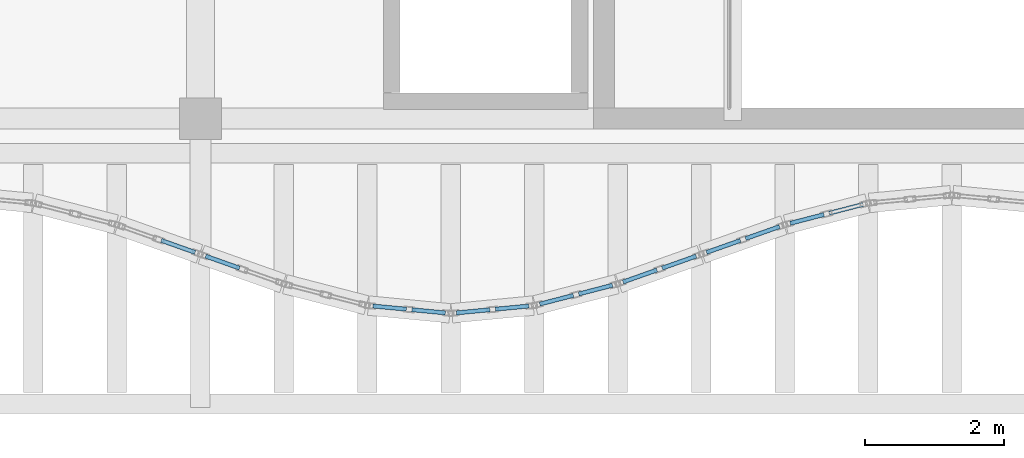
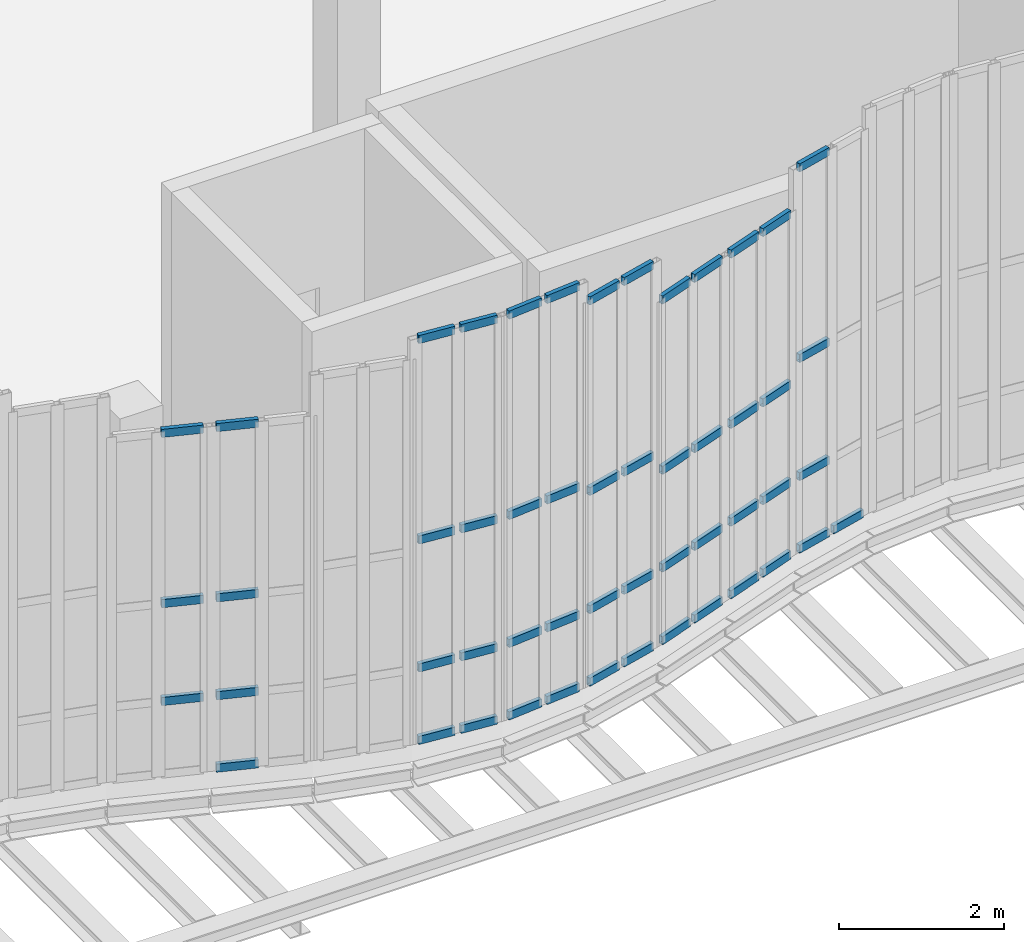
# One storey, part 44 of 76: 52 members, 8 elements without a shape of their own.
"""IFC4 building model written with IfcOpenShell, lengths in metres."""

from ifc_helpers import new_model, si_unit, direction, frame, origin, origin_2d, place, context, subcontext, project, spatial, hollow_rectangle, extrude, material, layer, layer_set, material_profile, profile_set, type_object, element, aggregate, save


model = new_model("IFC4")

# Units and contexts
model_context = context("Model", 3, precision=1e-05, world=origin(), true_north=direction((0.0, 1.0)))
body_context = subcontext(model_context, "Body", "Model", "MODEL_VIEW")
ifc_project = project(units=[si_unit("LENGTHUNIT", "METRE"), si_unit("AREAUNIT", "SQUARE_METRE"), si_unit("VOLUMEUNIT", "CUBIC_METRE"), si_unit("PLANEANGLEUNIT", "RADIAN"), si_unit("MASSUNIT", "GRAM", prefix="KILO"), si_unit("THERMODYNAMICTEMPERATUREUNIT", "KELVIN"), si_unit("POWERUNIT", "WATT")], contexts=[model_context])

# Site, building, storey
site_placement = place(None, origin())
site = spatial("IfcSite", under=ifc_project, at=site_placement, CompositionType="ELEMENT")
building_placement = place(site_placement, origin())
building = spatial("IfcBuilding", under=site, at=building_placement, Name="Kaldorven Railside Theatre", CompositionType="ELEMENT")
storey_placement = place(building_placement, frame((0.0, 0.0, 14.39990234375)))
storey = spatial("IfcBuildingStorey", under=building, at=storey_placement, Name="L03", CompositionType="ELEMENT", Elevation=14.39990234375)

# Curtain wall, members
ifc_material_1 = material(Name="Low-E laminated solar-control glass", Category="glass")
ifc_layer_1 = layer(ifc_material_1, 0.159912109375, Name="Low-E laminated solar-control glass")
ifc_layer_set_1 = layer_set([ifc_layer_1], Name="Low-E laminated solar-control glass")
curtain_wall_type_1 = type_object("IfcCurtainWallType", Name="CWT-08", PredefinedType="USERDEFINED", material=ifc_layer_set_1)
curtain_wall_1_placement = place(storey_placement, origin())
curtain_wall_1 = element("IfcCurtainWall", 1, at=curtain_wall_1_placement, inside=storey, type_object=curtain_wall_type_1, Name="Sinusoidal Fluted Curtain Wall CW-L03-S54", ObjectType="FLUTED GLAZING", PredefinedType="USERDEFINED")
ifc_material_2 = material(Name="Anodised bronze aluminium", Category="aluminium")
ifc_material_profile = material_profile(ifc_material_2, hollow_rectangle(XDim=0.06005859375, YDim=0.1201171875, WallThickness=0.0048828125, at=origin_2d()), Name="RHS 120x60x5")
ifc_profile_set = profile_set([ifc_material_profile], Name="Anodised bronze aluminium")
member_type = type_object("IfcMemberType", Name="CWT-120", PredefinedType="USERDEFINED", material=ifc_profile_set)
member_1_placement = place(storey_placement, frame((101.03759765625, 17.44921875, 1.10009765625), z_axis=(0.94256215944, -0.334030800363, 0.0), x_axis=(0.334030800363, 0.94256215944, 0.0)))
member_1 = element("IfcMember", 2, at=member_1_placement, type_object=member_type, Name="CW-L03-S54 transom 2.2", ObjectType="TRANSOM", PredefinedType="USERDEFINED", context=body_context, shape_type="SweptSolid", body=[
    extrude(hollow_rectangle(XDim=0.06005859375, YDim=0.1201171875, WallThickness=0.0048828125, at=origin_2d()), origin(), (0.0, 0.0, 1.0), 0.516845703125),
])
member_2_placement = place(storey_placement, frame((101.03759765625, 17.44921875, 2.545166015625), z_axis=(0.94256215944, -0.334030800363, 0.0), x_axis=(0.334030800363, 0.94256215944, 0.0)))
member_2 = element("IfcMember", 3, at=member_2_placement, type_object=member_type, Name="CW-L03-S54 transom 2.3", ObjectType="TRANSOM", PredefinedType="USERDEFINED", context=body_context, shape_type="SweptSolid", body=[
    extrude(hollow_rectangle(XDim=0.06005859375, YDim=0.1201171875, WallThickness=0.0048828125, at=origin_2d()), origin(), (0.0, 0.0, 1.0), 0.516845703125),
])
member_3_placement = place(storey_placement, frame((101.03759765625, 17.44921875, 5.06005859375), z_axis=(0.94256215944, -0.334030800363, 0.0), x_axis=(0.334030800363, 0.94256215944, 0.0)))
member_3 = element("IfcMember", 4, at=member_3_placement, type_object=member_type, Name="CW-L03-S54 transom 2.4", ObjectType="TRANSOM", PredefinedType="USERDEFINED", context=body_context, shape_type="SweptSolid", body=[
    extrude(hollow_rectangle(XDim=0.06005859375, YDim=0.1201171875, WallThickness=0.0048828125, at=origin_2d()), origin(), (0.0, 0.0, 1.0), 0.516845703125),
])
aggregate(curtain_wall_1, [member_1, member_2, member_3])

curtain_wall_2_placement = place(storey_placement, origin())
curtain_wall_2 = element("IfcCurtainWall", 5, at=curtain_wall_2_placement, inside=storey, type_object=curtain_wall_type_1, Name="Sinusoidal Fluted Curtain Wall CW-L03-S55", ObjectType="FLUTED GLAZING", PredefinedType="USERDEFINED")
member_4_placement = place(storey_placement, frame((101.67529296875, 17.223388671875, 0.030029296875), z_axis=(0.94256215944, -0.334030800363, 0.0), x_axis=(0.334030800363, 0.94256215944, 0.0)))
member_4 = element("IfcMember", 6, at=member_4_placement, type_object=member_type, Name="CW-L03-S55 transom 1.1", ObjectType="TRANSOM", PredefinedType="USERDEFINED", context=body_context, shape_type="SweptSolid", body=[
    extrude(hollow_rectangle(XDim=0.06005859375, YDim=0.1201171875, WallThickness=0.0048828125, at=origin_2d()), origin(), (0.0, 0.0, 1.0), 0.516845703125),
])
member_5_placement = place(storey_placement, frame((101.67529296875, 17.223388671875, 1.10009765625), z_axis=(0.94256215944, -0.334030800363, 0.0), x_axis=(0.334030800363, 0.94256215944, 0.0)))
member_5 = element("IfcMember", 7, at=member_5_placement, type_object=member_type, Name="CW-L03-S55 transom 1.2", ObjectType="TRANSOM", PredefinedType="USERDEFINED", context=body_context, shape_type="SweptSolid", body=[
    extrude(hollow_rectangle(XDim=0.06005859375, YDim=0.1201171875, WallThickness=0.0048828125, at=origin_2d()), origin(), (0.0, 0.0, 1.0), 0.516845703125),
])
member_6_placement = place(storey_placement, frame((101.67529296875, 17.223388671875, 2.545166015625), z_axis=(0.94256215944, -0.334030800363, 0.0), x_axis=(0.334030800363, 0.94256215944, 0.0)))
member_6 = element("IfcMember", 8, at=member_6_placement, type_object=member_type, Name="CW-L03-S55 transom 1.3", ObjectType="TRANSOM", PredefinedType="USERDEFINED", context=body_context, shape_type="SweptSolid", body=[
    extrude(hollow_rectangle(XDim=0.06005859375, YDim=0.1201171875, WallThickness=0.0048828125, at=origin_2d()), origin(), (0.0, 0.0, 1.0), 0.516845703125),
])
member_7_placement = place(storey_placement, frame((101.67529296875, 17.223388671875, 5.06005859375), z_axis=(0.94256215944, -0.334030800363, 0.0), x_axis=(0.334030800363, 0.94256215944, 0.0)))
member_7 = element("IfcMember", 9, at=member_7_placement, type_object=member_type, Name="CW-L03-S55 transom 1.4", ObjectType="TRANSOM", PredefinedType="USERDEFINED", context=body_context, shape_type="SweptSolid", body=[
    extrude(hollow_rectangle(XDim=0.06005859375, YDim=0.1201171875, WallThickness=0.0048828125, at=origin_2d()), origin(), (0.0, 0.0, 1.0), 0.516845703125),
])
aggregate(curtain_wall_2, [member_4, member_5, member_6, member_7])

ifc_layer_2 = layer(ifc_material_1, 0.159912109375, Name="Low-E laminated solar-control glass")
ifc_layer_set_2 = layer_set([ifc_layer_2], Name="Low-E laminated solar-control glass")
curtain_wall_type_2 = type_object("IfcCurtainWallType", Name="CWT-10", PredefinedType="USERDEFINED", material=ifc_layer_set_2)
curtain_wall_3_placement = place(storey_placement, origin())
curtain_wall_3 = element("IfcCurtainWall", 10, at=curtain_wall_3_placement, inside=storey, type_object=curtain_wall_type_2, Name="Sinusoidal Fluted Curtain Wall CW-L03-S57", ObjectType="FLUTED GLAZING", PredefinedType="USERDEFINED")
member_8_placement = place(storey_placement, frame((104.07958984375, 16.50634765625, 0.030029296875), z_axis=(0.995515910823, -0.094594245591, 0.0), x_axis=(0.094594245591, 0.995515910823, 0.0)))
member_8 = element("IfcMember", 11, at=member_8_placement, type_object=member_type, Name="CW-L03-S57 transom 1.1", ObjectType="TRANSOM", PredefinedType="USERDEFINED", context=body_context, shape_type="SweptSolid", body=[
    extrude(hollow_rectangle(XDim=0.06005859375, YDim=0.1201171875, WallThickness=0.0048828125, at=origin_2d()), origin(), (0.0, 0.0, 1.0), 0.482666015625),
])
member_9_placement = place(storey_placement, frame((104.07958984375, 16.50634765625, 1.10009765625), z_axis=(0.995515910823, -0.094594245591, 0.0), x_axis=(0.094594245591, 0.995515910823, 0.0)))
member_9 = element("IfcMember", 12, at=member_9_placement, type_object=member_type, Name="CW-L03-S57 transom 1.2", ObjectType="TRANSOM", PredefinedType="USERDEFINED", context=body_context, shape_type="SweptSolid", body=[
    extrude(hollow_rectangle(XDim=0.06005859375, YDim=0.1201171875, WallThickness=0.0048828125, at=origin_2d()), origin(), (0.0, 0.0, 1.0), 0.482666015625),
])
member_10_placement = place(storey_placement, frame((104.07958984375, 16.50634765625, 2.989990234375), z_axis=(0.995515910823, -0.094594245591, 0.0), x_axis=(0.094594245591, 0.995515910823, 0.0)))
member_10 = element("IfcMember", 13, at=member_10_placement, type_object=member_type, Name="CW-L03-S57 transom 1.3", ObjectType="TRANSOM", PredefinedType="USERDEFINED", context=body_context, shape_type="SweptSolid", body=[
    extrude(hollow_rectangle(XDim=0.06005859375, YDim=0.1201171875, WallThickness=0.0048828125, at=origin_2d()), origin(), (0.0, 0.0, 1.0), 0.482666015625),
])
member_11_placement = place(storey_placement, frame((104.07958984375, 16.50634765625, 5.9501953125), z_axis=(0.995515910823, -0.094594245591, 0.0), x_axis=(0.094594245591, 0.995515910823, 0.0)))
member_11 = element("IfcMember", 14, at=member_11_placement, type_object=member_type, Name="CW-L03-S57 transom 1.4", ObjectType="TRANSOM", PredefinedType="USERDEFINED", context=body_context, shape_type="SweptSolid", body=[
    extrude(hollow_rectangle(XDim=0.06005859375, YDim=0.1201171875, WallThickness=0.0048828125, at=origin_2d()), origin(), (0.0, 0.0, 1.0), 0.482666015625),
])
member_12_placement = place(storey_placement, frame((104.639892578125, 16.453125, 0.030029296875), z_axis=(0.995515910823, -0.094594245591, 0.0), x_axis=(0.094594245591, 0.995515910823, 0.0)))
member_12 = element("IfcMember", 15, at=member_12_placement, type_object=member_type, Name="CW-L03-S57 transom 2.1", ObjectType="TRANSOM", PredefinedType="USERDEFINED", context=body_context, shape_type="SweptSolid", body=[
    extrude(hollow_rectangle(XDim=0.06005859375, YDim=0.1201171875, WallThickness=0.0048828125, at=origin_2d()), origin(), (0.0, 0.0, 1.0), 0.482666015625),
])
member_13_placement = place(storey_placement, frame((104.639892578125, 16.453125, 1.10009765625), z_axis=(0.995515910823, -0.094594245591, 0.0), x_axis=(0.094594245591, 0.995515910823, 0.0)))
member_13 = element("IfcMember", 16, at=member_13_placement, type_object=member_type, Name="CW-L03-S57 transom 2.2", ObjectType="TRANSOM", PredefinedType="USERDEFINED", context=body_context, shape_type="SweptSolid", body=[
    extrude(hollow_rectangle(XDim=0.06005859375, YDim=0.1201171875, WallThickness=0.0048828125, at=origin_2d()), origin(), (0.0, 0.0, 1.0), 0.482666015625),
])
member_14_placement = place(storey_placement, frame((104.639892578125, 16.453125, 2.989990234375), z_axis=(0.995515910823, -0.094594245591, 0.0), x_axis=(0.094594245591, 0.995515910823, 0.0)))
member_14 = element("IfcMember", 17, at=member_14_placement, type_object=member_type, Name="CW-L03-S57 transom 2.3", ObjectType="TRANSOM", PredefinedType="USERDEFINED", context=body_context, shape_type="SweptSolid", body=[
    extrude(hollow_rectangle(XDim=0.06005859375, YDim=0.1201171875, WallThickness=0.0048828125, at=origin_2d()), origin(), (0.0, 0.0, 1.0), 0.482666015625),
])
member_15_placement = place(storey_placement, frame((104.639892578125, 16.453125, 5.9501953125), z_axis=(0.995515910823, -0.094594245591, 0.0), x_axis=(0.094594245591, 0.995515910823, 0.0)))
member_15 = element("IfcMember", 18, at=member_15_placement, type_object=member_type, Name="CW-L03-S57 transom 2.4", ObjectType="TRANSOM", PredefinedType="USERDEFINED", context=body_context, shape_type="SweptSolid", body=[
    extrude(hollow_rectangle(XDim=0.06005859375, YDim=0.1201171875, WallThickness=0.0048828125, at=origin_2d()), origin(), (0.0, 0.0, 1.0), 0.482666015625),
])
aggregate(curtain_wall_3, [member_8, member_9, member_10, member_11, member_12, member_13, member_14, member_15])

curtain_wall_4_placement = place(storey_placement, origin())
curtain_wall_4 = element("IfcCurtainWall", 19, at=curtain_wall_4_placement, inside=storey, type_object=curtain_wall_type_2, Name="Sinusoidal Fluted Curtain Wall CW-L03-S58", ObjectType="FLUTED GLAZING", PredefinedType="USERDEFINED")
member_16_placement = place(storey_placement, frame((105.279541015625, 16.407470703125, 0.030029296875), z_axis=(0.995520433802, 0.094546633378, 0.0), x_axis=(-0.094546633378, 0.995520433802, 0.0)))
member_16 = element("IfcMember", 20, at=member_16_placement, type_object=member_type, Name="CW-L03-S58 transom 1.1", ObjectType="TRANSOM", PredefinedType="USERDEFINED", context=body_context, shape_type="SweptSolid", body=[
    extrude(hollow_rectangle(XDim=0.06005859375, YDim=0.1201171875, WallThickness=0.0048828125, at=origin_2d()), origin(), (0.0, 0.0, 1.0), 0.48291015625),
])
member_17_placement = place(storey_placement, frame((105.279541015625, 16.407470703125, 1.10009765625), z_axis=(0.995520433802, 0.094546633378, 0.0), x_axis=(-0.094546633378, 0.995520433802, 0.0)))
member_17 = element("IfcMember", 21, at=member_17_placement, type_object=member_type, Name="CW-L03-S58 transom 1.2", ObjectType="TRANSOM", PredefinedType="USERDEFINED", context=body_context, shape_type="SweptSolid", body=[
    extrude(hollow_rectangle(XDim=0.06005859375, YDim=0.1201171875, WallThickness=0.0048828125, at=origin_2d()), origin(), (0.0, 0.0, 1.0), 0.48291015625),
])
member_18_placement = place(storey_placement, frame((105.279541015625, 16.407470703125, 2.989990234375), z_axis=(0.995520433802, 0.094546633378, 0.0), x_axis=(-0.094546633378, 0.995520433802, 0.0)))
member_18 = element("IfcMember", 22, at=member_18_placement, type_object=member_type, Name="CW-L03-S58 transom 1.3", ObjectType="TRANSOM", PredefinedType="USERDEFINED", context=body_context, shape_type="SweptSolid", body=[
    extrude(hollow_rectangle(XDim=0.06005859375, YDim=0.1201171875, WallThickness=0.0048828125, at=origin_2d()), origin(), (0.0, 0.0, 1.0), 0.48291015625),
])
member_19_placement = place(storey_placement, frame((105.279541015625, 16.407470703125, 5.9501953125), z_axis=(0.995520433802, 0.094546633378, 0.0), x_axis=(-0.094546633378, 0.995520433802, 0.0)))
member_19 = element("IfcMember", 23, at=member_19_placement, type_object=member_type, Name="CW-L03-S58 transom 1.4", ObjectType="TRANSOM", PredefinedType="USERDEFINED", context=body_context, shape_type="SweptSolid", body=[
    extrude(hollow_rectangle(XDim=0.06005859375, YDim=0.1201171875, WallThickness=0.0048828125, at=origin_2d()), origin(), (0.0, 0.0, 1.0), 0.48291015625),
])
member_20_placement = place(storey_placement, frame((105.83984375, 16.460693359375, 0.030029296875), z_axis=(0.995515910823, 0.094594245591, 0.0), x_axis=(-0.094594245591, 0.995515910823, 0.0)))
member_20 = element("IfcMember", 24, at=member_20_placement, type_object=member_type, Name="CW-L03-S58 transom 2.1", ObjectType="TRANSOM", PredefinedType="USERDEFINED", context=body_context, shape_type="SweptSolid", body=[
    extrude(hollow_rectangle(XDim=0.06005859375, YDim=0.1201171875, WallThickness=0.0048828125, at=origin_2d()), origin(), (0.0, 0.0, 1.0), 0.482666015625),
])
member_21_placement = place(storey_placement, frame((105.83984375, 16.460693359375, 1.10009765625), z_axis=(0.995515910823, 0.094594245591, 0.0), x_axis=(-0.094594245591, 0.995515910823, 0.0)))
member_21 = element("IfcMember", 25, at=member_21_placement, type_object=member_type, Name="CW-L03-S58 transom 2.2", ObjectType="TRANSOM", PredefinedType="USERDEFINED", context=body_context, shape_type="SweptSolid", body=[
    extrude(hollow_rectangle(XDim=0.06005859375, YDim=0.1201171875, WallThickness=0.0048828125, at=origin_2d()), origin(), (0.0, 0.0, 1.0), 0.482666015625),
])
member_22_placement = place(storey_placement, frame((105.83984375, 16.460693359375, 2.989990234375), z_axis=(0.995515910823, 0.094594245591, 0.0), x_axis=(-0.094594245591, 0.995515910823, 0.0)))
member_22 = element("IfcMember", 26, at=member_22_placement, type_object=member_type, Name="CW-L03-S58 transom 2.3", ObjectType="TRANSOM", PredefinedType="USERDEFINED", context=body_context, shape_type="SweptSolid", body=[
    extrude(hollow_rectangle(XDim=0.06005859375, YDim=0.1201171875, WallThickness=0.0048828125, at=origin_2d()), origin(), (0.0, 0.0, 1.0), 0.482666015625),
])
member_23_placement = place(storey_placement, frame((105.83984375, 16.460693359375, 5.9501953125), z_axis=(0.995515910823, 0.094594245591, 0.0), x_axis=(-0.094594245591, 0.995515910823, 0.0)))
member_23 = element("IfcMember", 27, at=member_23_placement, type_object=member_type, Name="CW-L03-S58 transom 2.4", ObjectType="TRANSOM", PredefinedType="USERDEFINED", context=body_context, shape_type="SweptSolid", body=[
    extrude(hollow_rectangle(XDim=0.06005859375, YDim=0.1201171875, WallThickness=0.0048828125, at=origin_2d()), origin(), (0.0, 0.0, 1.0), 0.482666015625),
])
aggregate(curtain_wall_4, [member_16, member_17, member_18, member_19, member_20, member_21, member_22, member_23])

ifc_layer_3 = layer(ifc_material_1, 0.159912109375, Name="Low-E laminated solar-control glass")
ifc_layer_set_3 = layer_set([ifc_layer_3], Name="Low-E laminated solar-control glass")
curtain_wall_type_3 = type_object("IfcCurtainWallType", Name="CWT-09", PredefinedType="USERDEFINED", material=ifc_layer_set_3)
curtain_wall_5_placement = place(storey_placement, origin())
curtain_wall_5 = element("IfcCurtainWall", 28, at=curtain_wall_5_placement, inside=storey, type_object=curtain_wall_type_3, Name="Sinusoidal Fluted Curtain Wall CW-L03-S59", ObjectType="FLUTED GLAZING", PredefinedType="USERDEFINED")
member_24_placement = place(storey_placement, frame((106.4775390625, 16.533935546875, 0.030029296875), z_axis=(0.967948521016, 0.251148682384, 0.0), x_axis=(-0.251148682384, 0.967948521016, 0.0)))
member_24 = element("IfcMember", 29, at=member_24_placement, type_object=member_type, Name="CW-L03-S59 transom 1.1", ObjectType="TRANSOM", PredefinedType="USERDEFINED", context=body_context, shape_type="SweptSolid", body=[
    extrude(hollow_rectangle(XDim=0.06005859375, YDim=0.1201171875, WallThickness=0.0048828125, at=origin_2d()), origin(), (0.0, 0.0, 1.0), 0.499755859375),
])
member_25_placement = place(storey_placement, frame((106.4775390625, 16.533935546875, 1.10009765625), z_axis=(0.967948521016, 0.251148682384, 0.0), x_axis=(-0.251148682384, 0.967948521016, 0.0)))
member_25 = element("IfcMember", 30, at=member_25_placement, type_object=member_type, Name="CW-L03-S59 transom 1.2", ObjectType="TRANSOM", PredefinedType="USERDEFINED", context=body_context, shape_type="SweptSolid", body=[
    extrude(hollow_rectangle(XDim=0.06005859375, YDim=0.1201171875, WallThickness=0.0048828125, at=origin_2d()), origin(), (0.0, 0.0, 1.0), 0.499755859375),
])
member_26_placement = place(storey_placement, frame((106.4775390625, 16.533935546875, 2.84521484375), z_axis=(0.967948521016, 0.251148682384, 0.0), x_axis=(-0.251148682384, 0.967948521016, 0.0)))
member_26 = element("IfcMember", 31, at=member_26_placement, type_object=member_type, Name="CW-L03-S59 transom 1.3", ObjectType="TRANSOM", PredefinedType="USERDEFINED", context=body_context, shape_type="SweptSolid", body=[
    extrude(hollow_rectangle(XDim=0.06005859375, YDim=0.1201171875, WallThickness=0.0048828125, at=origin_2d()), origin(), (0.0, 0.0, 1.0), 0.499755859375),
])
member_27_placement = place(storey_placement, frame((106.4775390625, 16.533935546875, 5.66015625), z_axis=(0.967948521016, 0.251148682384, 0.0), x_axis=(-0.251148682384, 0.967948521016, 0.0)))
member_27 = element("IfcMember", 32, at=member_27_placement, type_object=member_type, Name="CW-L03-S59 transom 1.4", ObjectType="TRANSOM", PredefinedType="USERDEFINED", context=body_context, shape_type="SweptSolid", body=[
    extrude(hollow_rectangle(XDim=0.06005859375, YDim=0.1201171875, WallThickness=0.0048828125, at=origin_2d()), origin(), (0.0, 0.0, 1.0), 0.499755859375),
])
member_28_placement = place(storey_placement, frame((107.038818359375, 16.679443359375, 0.030029296875), z_axis=(0.967948521016, 0.251148682384, 0.0), x_axis=(-0.251148682384, 0.967948521016, 0.0)))
member_28 = element("IfcMember", 33, at=member_28_placement, type_object=member_type, Name="CW-L03-S59 transom 2.1", ObjectType="TRANSOM", PredefinedType="USERDEFINED", context=body_context, shape_type="SweptSolid", body=[
    extrude(hollow_rectangle(XDim=0.06005859375, YDim=0.1201171875, WallThickness=0.0048828125, at=origin_2d()), origin(), (0.0, 0.0, 1.0), 0.499755859375),
])
member_29_placement = place(storey_placement, frame((107.038818359375, 16.679443359375, 1.10009765625), z_axis=(0.967948521016, 0.251148682384, 0.0), x_axis=(-0.251148682384, 0.967948521016, 0.0)))
member_29 = element("IfcMember", 34, at=member_29_placement, type_object=member_type, Name="CW-L03-S59 transom 2.2", ObjectType="TRANSOM", PredefinedType="USERDEFINED", context=body_context, shape_type="SweptSolid", body=[
    extrude(hollow_rectangle(XDim=0.06005859375, YDim=0.1201171875, WallThickness=0.0048828125, at=origin_2d()), origin(), (0.0, 0.0, 1.0), 0.499755859375),
])
member_30_placement = place(storey_placement, frame((107.038818359375, 16.679443359375, 2.84521484375), z_axis=(0.967948521016, 0.251148682384, 0.0), x_axis=(-0.251148682384, 0.967948521016, 0.0)))
member_30 = element("IfcMember", 35, at=member_30_placement, type_object=member_type, Name="CW-L03-S59 transom 2.3", ObjectType="TRANSOM", PredefinedType="USERDEFINED", context=body_context, shape_type="SweptSolid", body=[
    extrude(hollow_rectangle(XDim=0.06005859375, YDim=0.1201171875, WallThickness=0.0048828125, at=origin_2d()), origin(), (0.0, 0.0, 1.0), 0.499755859375),
])
member_31_placement = place(storey_placement, frame((107.038818359375, 16.679443359375, 5.66015625), z_axis=(0.967948521016, 0.251148682384, 0.0), x_axis=(-0.251148682384, 0.967948521016, 0.0)))
member_31 = element("IfcMember", 36, at=member_31_placement, type_object=member_type, Name="CW-L03-S59 transom 2.4", ObjectType="TRANSOM", PredefinedType="USERDEFINED", context=body_context, shape_type="SweptSolid", body=[
    extrude(hollow_rectangle(XDim=0.06005859375, YDim=0.1201171875, WallThickness=0.0048828125, at=origin_2d()), origin(), (0.0, 0.0, 1.0), 0.499755859375),
])
aggregate(curtain_wall_5, [member_24, member_25, member_26, member_27, member_28, member_29, member_30, member_31])

curtain_wall_6_placement = place(storey_placement, origin())
curtain_wall_6 = element("IfcCurtainWall", 37, at=curtain_wall_6_placement, inside=storey, type_object=curtain_wall_type_1, Name="Sinusoidal Fluted Curtain Wall CW-L03-S60", ObjectType="FLUTED GLAZING", PredefinedType="USERDEFINED")
member_32_placement = place(storey_placement, frame((107.67529296875, 16.851806640625, 0.030029296875), z_axis=(0.942710841688, 0.333610954502, 0.0), x_axis=(-0.333610954502, 0.942710841688, 0.0)))
member_32 = element("IfcMember", 38, at=member_32_placement, type_object=member_type, Name="CW-L03-S60 transom 1.1", ObjectType="TRANSOM", PredefinedType="USERDEFINED", context=body_context, shape_type="SweptSolid", body=[
    extrude(hollow_rectangle(XDim=0.06005859375, YDim=0.1201171875, WallThickness=0.0048828125, at=origin_2d()), origin(), (0.0, 0.0, 1.0), 0.5166015625),
])
member_33_placement = place(storey_placement, frame((107.67529296875, 16.851806640625, 1.10009765625), z_axis=(0.942710841688, 0.333610954502, 0.0), x_axis=(-0.333610954502, 0.942710841688, 0.0)))
member_33 = element("IfcMember", 39, at=member_33_placement, type_object=member_type, Name="CW-L03-S60 transom 1.2", ObjectType="TRANSOM", PredefinedType="USERDEFINED", context=body_context, shape_type="SweptSolid", body=[
    extrude(hollow_rectangle(XDim=0.06005859375, YDim=0.1201171875, WallThickness=0.0048828125, at=origin_2d()), origin(), (0.0, 0.0, 1.0), 0.5166015625),
])
member_34_placement = place(storey_placement, frame((107.67529296875, 16.851806640625, 2.545166015625), z_axis=(0.942710841688, 0.333610954502, 0.0), x_axis=(-0.333610954502, 0.942710841688, 0.0)))
member_34 = element("IfcMember", 40, at=member_34_placement, type_object=member_type, Name="CW-L03-S60 transom 1.3", ObjectType="TRANSOM", PredefinedType="USERDEFINED", context=body_context, shape_type="SweptSolid", body=[
    extrude(hollow_rectangle(XDim=0.06005859375, YDim=0.1201171875, WallThickness=0.0048828125, at=origin_2d()), origin(), (0.0, 0.0, 1.0), 0.5166015625),
])
member_35_placement = place(storey_placement, frame((107.67529296875, 16.851806640625, 5.06005859375), z_axis=(0.942710841688, 0.333610954502, 0.0), x_axis=(-0.333610954502, 0.942710841688, 0.0)))
member_35 = element("IfcMember", 41, at=member_35_placement, type_object=member_type, Name="CW-L03-S60 transom 1.4", ObjectType="TRANSOM", PredefinedType="USERDEFINED", context=body_context, shape_type="SweptSolid", body=[
    extrude(hollow_rectangle(XDim=0.06005859375, YDim=0.1201171875, WallThickness=0.0048828125, at=origin_2d()), origin(), (0.0, 0.0, 1.0), 0.5166015625),
])
member_36_placement = place(storey_placement, frame((108.23779296875, 17.05078125, 0.030029296875), z_axis=(0.942509408488, 0.334179614745, 0.0), x_axis=(-0.334179614745, 0.942509408488, 0.0)))
member_36 = element("IfcMember", 42, at=member_36_placement, type_object=member_type, Name="CW-L03-S60 transom 2.1", ObjectType="TRANSOM", PredefinedType="USERDEFINED", context=body_context, shape_type="SweptSolid", body=[
    extrude(hollow_rectangle(XDim=0.06005859375, YDim=0.1201171875, WallThickness=0.0048828125, at=origin_2d()), origin(), (0.0, 0.0, 1.0), 0.5166015625),
])
member_37_placement = place(storey_placement, frame((108.23779296875, 17.05078125, 1.10009765625), z_axis=(0.942509408488, 0.334179614745, 0.0), x_axis=(-0.334179614745, 0.942509408488, 0.0)))
member_37 = element("IfcMember", 43, at=member_37_placement, type_object=member_type, Name="CW-L03-S60 transom 2.2", ObjectType="TRANSOM", PredefinedType="USERDEFINED", context=body_context, shape_type="SweptSolid", body=[
    extrude(hollow_rectangle(XDim=0.06005859375, YDim=0.1201171875, WallThickness=0.0048828125, at=origin_2d()), origin(), (0.0, 0.0, 1.0), 0.5166015625),
])
member_38_placement = place(storey_placement, frame((108.23779296875, 17.05078125, 2.545166015625), z_axis=(0.942509408488, 0.334179614745, 0.0), x_axis=(-0.334179614745, 0.942509408488, 0.0)))
member_38 = element("IfcMember", 44, at=member_38_placement, type_object=member_type, Name="CW-L03-S60 transom 2.3", ObjectType="TRANSOM", PredefinedType="USERDEFINED", context=body_context, shape_type="SweptSolid", body=[
    extrude(hollow_rectangle(XDim=0.06005859375, YDim=0.1201171875, WallThickness=0.0048828125, at=origin_2d()), origin(), (0.0, 0.0, 1.0), 0.5166015625),
])
member_39_placement = place(storey_placement, frame((108.23779296875, 17.05078125, 5.06005859375), z_axis=(0.942509408488, 0.334179614745, 0.0), x_axis=(-0.334179614745, 0.942509408488, 0.0)))
member_39 = element("IfcMember", 45, at=member_39_placement, type_object=member_type, Name="CW-L03-S60 transom 2.4", ObjectType="TRANSOM", PredefinedType="USERDEFINED", context=body_context, shape_type="SweptSolid", body=[
    extrude(hollow_rectangle(XDim=0.06005859375, YDim=0.1201171875, WallThickness=0.0048828125, at=origin_2d()), origin(), (0.0, 0.0, 1.0), 0.5166015625),
])
aggregate(curtain_wall_6, [member_32, member_33, member_34, member_35, member_36, member_37, member_38, member_39])

curtain_wall_7_placement = place(storey_placement, origin())
curtain_wall_7 = element("IfcCurtainWall", 46, at=curtain_wall_7_placement, inside=storey, type_object=curtain_wall_type_1, Name="Sinusoidal Fluted Curtain Wall CW-L03-S61", ObjectType="FLUTED GLAZING", PredefinedType="USERDEFINED")
member_40_placement = place(storey_placement, frame((108.87548828125, 17.276611328125, 0.030029296875), z_axis=(0.942509408488, 0.334179614745, 0.0), x_axis=(-0.334179614745, 0.942509408488, 0.0)))
member_40 = element("IfcMember", 47, at=member_40_placement, type_object=member_type, Name="CW-L03-S61 transom 1.1", ObjectType="TRANSOM", PredefinedType="USERDEFINED", context=body_context, shape_type="SweptSolid", body=[
    extrude(hollow_rectangle(XDim=0.06005859375, YDim=0.1201171875, WallThickness=0.0048828125, at=origin_2d()), origin(), (0.0, 0.0, 1.0), 0.5166015625),
])
member_41_placement = place(storey_placement, frame((108.87548828125, 17.276611328125, 1.10009765625), z_axis=(0.942509408488, 0.334179614745, 0.0), x_axis=(-0.334179614745, 0.942509408488, 0.0)))
member_41 = element("IfcMember", 48, at=member_41_placement, type_object=member_type, Name="CW-L03-S61 transom 1.2", ObjectType="TRANSOM", PredefinedType="USERDEFINED", context=body_context, shape_type="SweptSolid", body=[
    extrude(hollow_rectangle(XDim=0.06005859375, YDim=0.1201171875, WallThickness=0.0048828125, at=origin_2d()), origin(), (0.0, 0.0, 1.0), 0.5166015625),
])
member_42_placement = place(storey_placement, frame((108.87548828125, 17.276611328125, 2.545166015625), z_axis=(0.942509408488, 0.334179614745, 0.0), x_axis=(-0.334179614745, 0.942509408488, 0.0)))
member_42 = element("IfcMember", 49, at=member_42_placement, type_object=member_type, Name="CW-L03-S61 transom 1.3", ObjectType="TRANSOM", PredefinedType="USERDEFINED", context=body_context, shape_type="SweptSolid", body=[
    extrude(hollow_rectangle(XDim=0.06005859375, YDim=0.1201171875, WallThickness=0.0048828125, at=origin_2d()), origin(), (0.0, 0.0, 1.0), 0.5166015625),
])
member_43_placement = place(storey_placement, frame((108.87548828125, 17.276611328125, 5.06005859375), z_axis=(0.942509408488, 0.334179614745, 0.0), x_axis=(-0.334179614745, 0.942509408488, 0.0)))
member_43 = element("IfcMember", 50, at=member_43_placement, type_object=member_type, Name="CW-L03-S61 transom 1.4", ObjectType="TRANSOM", PredefinedType="USERDEFINED", context=body_context, shape_type="SweptSolid", body=[
    extrude(hollow_rectangle(XDim=0.06005859375, YDim=0.1201171875, WallThickness=0.0048828125, at=origin_2d()), origin(), (0.0, 0.0, 1.0), 0.5166015625),
])
member_44_placement = place(storey_placement, frame((109.437744140625, 17.475830078125, 0.030029296875), z_axis=(0.942658214948, 0.333759628763, 0.0), x_axis=(-0.333759628763, 0.942658214948, 0.0)))
member_44 = element("IfcMember", 51, at=member_44_placement, type_object=member_type, Name="CW-L03-S61 transom 2.1", ObjectType="TRANSOM", PredefinedType="USERDEFINED", context=body_context, shape_type="SweptSolid", body=[
    extrude(hollow_rectangle(XDim=0.06005859375, YDim=0.1201171875, WallThickness=0.0048828125, at=origin_2d()), origin(), (0.0, 0.0, 1.0), 0.516357421875),
])
member_45_placement = place(storey_placement, frame((109.437744140625, 17.475830078125, 1.10009765625), z_axis=(0.942658214948, 0.333759628763, 0.0), x_axis=(-0.333759628763, 0.942658214948, 0.0)))
member_45 = element("IfcMember", 52, at=member_45_placement, type_object=member_type, Name="CW-L03-S61 transom 2.2", ObjectType="TRANSOM", PredefinedType="USERDEFINED", context=body_context, shape_type="SweptSolid", body=[
    extrude(hollow_rectangle(XDim=0.06005859375, YDim=0.1201171875, WallThickness=0.0048828125, at=origin_2d()), origin(), (0.0, 0.0, 1.0), 0.516357421875),
])
member_46_placement = place(storey_placement, frame((109.437744140625, 17.475830078125, 2.545166015625), z_axis=(0.942658214948, 0.333759628763, 0.0), x_axis=(-0.333759628763, 0.942658214948, 0.0)))
member_46 = element("IfcMember", 53, at=member_46_placement, type_object=member_type, Name="CW-L03-S61 transom 2.3", ObjectType="TRANSOM", PredefinedType="USERDEFINED", context=body_context, shape_type="SweptSolid", body=[
    extrude(hollow_rectangle(XDim=0.06005859375, YDim=0.1201171875, WallThickness=0.0048828125, at=origin_2d()), origin(), (0.0, 0.0, 1.0), 0.516357421875),
])
member_47_placement = place(storey_placement, frame((109.437744140625, 17.475830078125, 5.06005859375), z_axis=(0.942658214948, 0.333759628763, 0.0), x_axis=(-0.333759628763, 0.942658214948, 0.0)))
member_47 = element("IfcMember", 54, at=member_47_placement, type_object=member_type, Name="CW-L03-S61 transom 2.4", ObjectType="TRANSOM", PredefinedType="USERDEFINED", context=body_context, shape_type="SweptSolid", body=[
    extrude(hollow_rectangle(XDim=0.06005859375, YDim=0.1201171875, WallThickness=0.0048828125, at=origin_2d()), origin(), (0.0, 0.0, 1.0), 0.516357421875),
])
aggregate(curtain_wall_7, [member_40, member_41, member_42, member_43, member_44, member_45, member_46, member_47])

curtain_wall_8_placement = place(storey_placement, origin())
curtain_wall_8 = element("IfcCurtainWall", 55, at=curtain_wall_8_placement, inside=storey, type_object=curtain_wall_type_3, Name="Sinusoidal Fluted Curtain Wall CW-L03-S62", ObjectType="FLUTED GLAZING", PredefinedType="USERDEFINED")
member_48_placement = place(storey_placement, frame((110.077392578125, 17.695068359375, 0.030029296875), z_axis=(0.967979318949, 0.251029954561, 0.0), x_axis=(-0.251029954561, 0.967979318949, 0.0)))
member_48 = element("IfcMember", 56, at=member_48_placement, type_object=member_type, Name="CW-L03-S62 transom 1.1", ObjectType="TRANSOM", PredefinedType="USERDEFINED", context=body_context, shape_type="SweptSolid", body=[
    extrude(hollow_rectangle(XDim=0.06005859375, YDim=0.1201171875, WallThickness=0.0048828125, at=origin_2d()), origin(), (0.0, 0.0, 1.0), 0.5),
])
member_49_placement = place(storey_placement, frame((110.077392578125, 17.695068359375, 1.10009765625), z_axis=(0.967979318949, 0.251029954561, 0.0), x_axis=(-0.251029954561, 0.967979318949, 0.0)))
member_49 = element("IfcMember", 57, at=member_49_placement, type_object=member_type, Name="CW-L03-S62 transom 1.2", ObjectType="TRANSOM", PredefinedType="USERDEFINED", context=body_context, shape_type="SweptSolid", body=[
    extrude(hollow_rectangle(XDim=0.06005859375, YDim=0.1201171875, WallThickness=0.0048828125, at=origin_2d()), origin(), (0.0, 0.0, 1.0), 0.5),
])
member_50_placement = place(storey_placement, frame((110.077392578125, 17.695068359375, 2.84521484375), z_axis=(0.967979318949, 0.251029954561, 0.0), x_axis=(-0.251029954561, 0.967979318949, 0.0)))
member_50 = element("IfcMember", 58, at=member_50_placement, type_object=member_type, Name="CW-L03-S62 transom 1.3", ObjectType="TRANSOM", PredefinedType="USERDEFINED", context=body_context, shape_type="SweptSolid", body=[
    extrude(hollow_rectangle(XDim=0.06005859375, YDim=0.1201171875, WallThickness=0.0048828125, at=origin_2d()), origin(), (0.0, 0.0, 1.0), 0.5),
])
member_51_placement = place(storey_placement, frame((110.077392578125, 17.695068359375, 5.66015625), z_axis=(0.967979318949, 0.251029954561, 0.0), x_axis=(-0.251029954561, 0.967979318949, 0.0)))
member_51 = element("IfcMember", 59, at=member_51_placement, type_object=member_type, Name="CW-L03-S62 transom 1.4", ObjectType="TRANSOM", PredefinedType="USERDEFINED", context=body_context, shape_type="SweptSolid", body=[
    extrude(hollow_rectangle(XDim=0.06005859375, YDim=0.1201171875, WallThickness=0.0048828125, at=origin_2d()), origin(), (0.0, 0.0, 1.0), 0.5),
])
member_52_placement = place(storey_placement, frame((110.638671875, 17.840576171875, 0.030029296875), z_axis=(0.967979318949, 0.251029954561, 0.0), x_axis=(-0.251029954561, 0.967979318949, 0.0)))
member_52 = element("IfcMember", 60, at=member_52_placement, type_object=member_type, Name="CW-L03-S62 transom 2.1", ObjectType="TRANSOM", PredefinedType="USERDEFINED", context=body_context, shape_type="SweptSolid", body=[
    extrude(hollow_rectangle(XDim=0.06005859375, YDim=0.1201171875, WallThickness=0.0048828125, at=origin_2d()), origin(), (0.0, 0.0, 1.0), 0.5),
])
aggregate(curtain_wall_8, [member_48, member_49, member_50, member_51, member_52])

save(model, "model.ifc")
